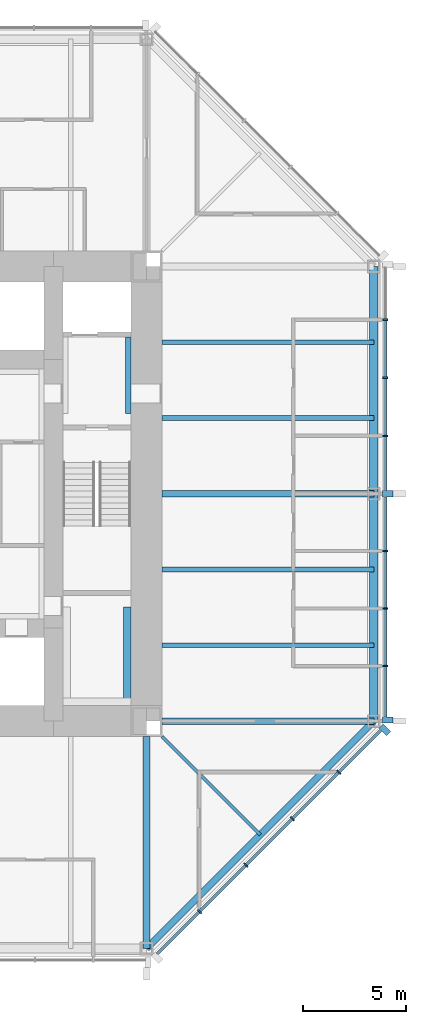
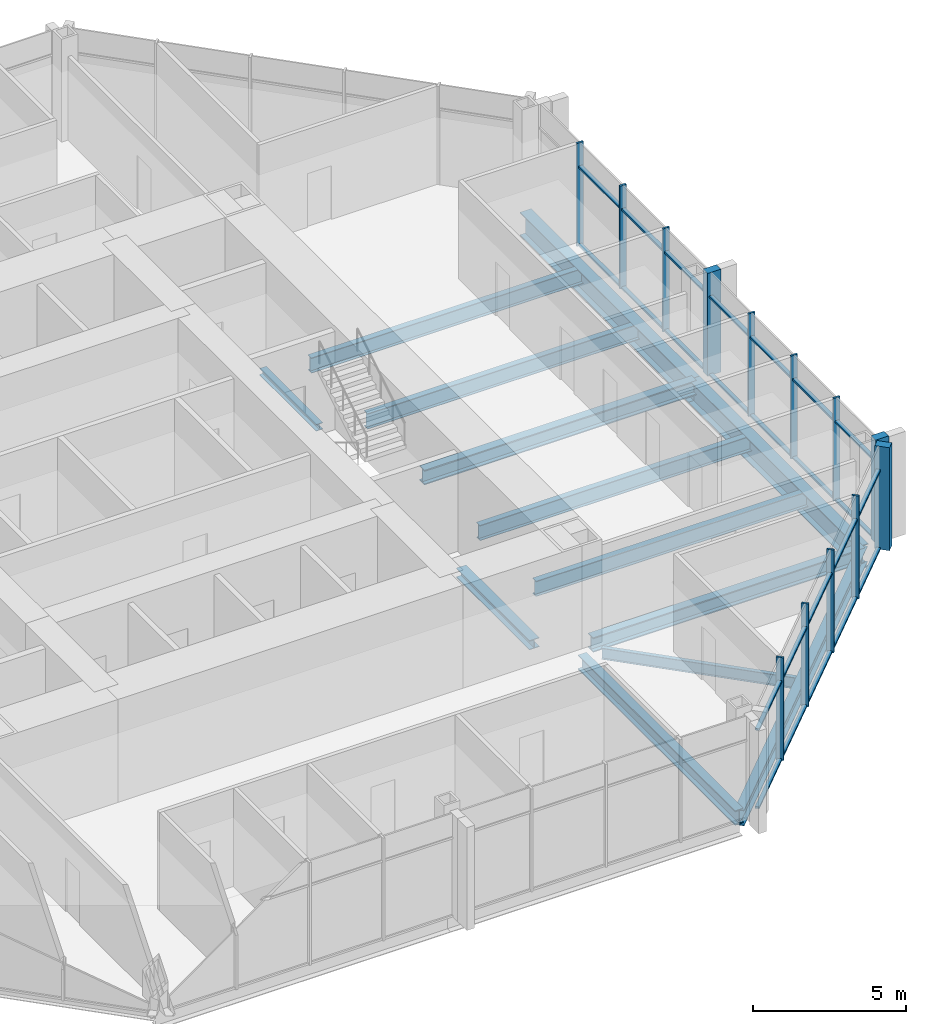
# One storey, part 4 of 12: 37 members, 13 beams, 2 elements without a shape of their own.
"""IFC4 building model written with IfcOpenShell, lengths in metres."""

import ifcopenshell
import ifcopenshell.guid

model = None  # the IFC model being written
_history = None  # IfcOwnerHistory: only IFC2X3 demands one
_inside = {}  # id of a spatial element -> (the spatial element, [elements in it])
_under = {}  # id of a project, library or spatial element -> (it, [spatial elements below it])
_declared = {}  # id of a project -> (the project, [libraries it declares])
_typed = {}  # id of a type object -> (the type object, [elements of that type])
_made_of = {}  # id of a material, layer set ... -> (it, [elements and type objects made of it])


def new_model(schema):
    """Start an empty IFC model of exactly this schema.

    Asked for "IFC4X3", IfcOpenShell would pick the latest addendum, in which some entities
    have other attributes; the version numbers below select the first issue.
    IFC2X3 requires an IfcOwnerHistory on every rooted entity: one is made here for all.
    """
    global model, _history
    if schema == "IFC4X3":
        model = ifcopenshell.file(schema_version=(4, 3, 0, 0))
    else:
        model = ifcopenshell.file(schema=schema)
    _inside.clear()
    _under.clear()
    _declared.clear()
    _typed.clear()
    _made_of.clear()
    _history = None
    if model.schema == "IFC2X3":
        org = make("IfcOrganization", Name="unknown")
        user = make(
            "IfcPersonAndOrganization",
            ThePerson=make("IfcPerson", FamilyName="unknown"),
            TheOrganization=org,
        )
        app = make(
            "IfcApplication",
            ApplicationDeveloper=org,
            Version="unknown",
            ApplicationFullName="unknown",
            ApplicationIdentifier="unknown",
        )
        _history = make(
            "IfcOwnerHistory",
            OwningUser=user,
            OwningApplication=app,
            ChangeAction="ADDED",
            CreationDate=0,
        )
    return model


def make(cls, **values):
    """One entity of the class cls with the attributes given. An attribute that is None is left unset."""
    return model.create_entity(
        cls, **{name: value for name, value in values.items() if value is not None}
    )


def rooted(cls, **values):
    """An entity with a GlobalId (a new one), such as an element, a storey or a relation."""
    return make(cls, GlobalId=ifcopenshell.guid.new(), OwnerHistory=_history, **values)


def si_unit(unit_type, name, prefix=None):
    """IfcSIUnit, for example si_unit("LENGTHUNIT", "METRE", prefix="MILLI")."""
    return make("IfcSIUnit", UnitType=unit_type, Prefix=prefix, Name=name)


def assignment(units):
    """IfcUnitAssignment: the units of a project."""
    return None if units is None else make("IfcUnitAssignment", Units=units)


def point(xyz):
    """IfcCartesianPoint."""
    return None if xyz is None else make("IfcCartesianPoint", Coordinates=xyz)


def direction(xyz):
    """IfcDirection."""
    return None if xyz is None else make("IfcDirection", DirectionRatios=xyz)


def frame(location, z_axis=None, x_axis=None):
    """IfcAxis2Placement3D, a coordinate frame: its origin and axes. An axis left out is left unset."""
    return make(
        "IfcAxis2Placement3D",
        Location=point(location),
        Axis=direction(z_axis),
        RefDirection=direction(x_axis),
    )


def frame_2d(location, x_axis=None):
    """IfcAxis2Placement2D, a coordinate frame in the plane: its origin and x axis."""
    return make(
        "IfcAxis2Placement2D", Location=point(location), RefDirection=direction(x_axis)
    )


def origin():
    """The frame at (0, 0, 0) with its axes left unset."""
    return frame((0.0, 0.0, 0.0))


def origin_2d():
    """The frame at (0, 0) in the plane with its x axis left unset."""
    return frame_2d((0.0, 0.0))


def place(relative_to, where):
    """IfcLocalPlacement: puts the frame where relative to a parent placement (None: the world)."""
    return make(
        "IfcLocalPlacement", PlacementRelTo=relative_to, RelativePlacement=where
    )


def context(
    kind, dimensions, precision=None, world=None, true_north=None, identifier=None
):
    """IfcGeometricRepresentationContext, for example the 3D "Model" context."""
    return make(
        "IfcGeometricRepresentationContext",
        ContextIdentifier=identifier,
        ContextType=kind,
        CoordinateSpaceDimension=dimensions,
        Precision=precision,
        WorldCoordinateSystem=world,
        TrueNorth=true_north,
    )


def subcontext(parent, identifier, kind, view, scale=None):
    """IfcGeometricRepresentationSubContext, for example "Body" below "Model"."""
    return make(
        "IfcGeometricRepresentationSubContext",
        ContextIdentifier=identifier,
        ContextType=kind,
        ParentContext=parent,
        TargetScale=scale,
        TargetView=view,
    )


def project(units=None, contexts=None):
    """IfcProject with its units and contexts."""
    return rooted(
        "IfcProject",
        Name="project",
        RepresentationContexts=contexts,
        UnitsInContext=assignment(units),
    )


def spatial(cls, under=None, at=None, **own):
    """A site, building, storey or space (cls), placed at a placement, below another one or the project."""
    s = rooted(cls, ObjectPlacement=at, **own)
    if under is not None:
        _under.setdefault(under.id(), (under, []))[1].append(s)
    return s


def profile(cls, at=None, kind="AREA", **sizes):
    """A parametric profile (cls). Its sizes go by their IFC names, for example OverallWidth=200.0."""
    return make(cls, ProfileType=kind, Position=at, **sizes)


def rectangle(**sizes):
    """IfcRectangleProfileDef."""
    return profile("IfcRectangleProfileDef", **sizes)


def i_section(**sizes):
    """IfcIShapeProfileDef."""
    return profile("IfcIShapeProfileDef", **sizes)


def extrude(swept, where, along, depth):
    """IfcExtrudedAreaSolid: the profile swept, set in the frame where, extruded along a direction by depth."""
    return make(
        "IfcExtrudedAreaSolid",
        SweptArea=swept,
        Position=where,
        ExtrudedDirection=direction(along),
        Depth=depth,
    )


def shape(context_of_items, identifier, shape_type, items):
    """IfcShapeRepresentation: the items that make up one representation, for example the "Body"."""
    return make(
        "IfcShapeRepresentation",
        ContextOfItems=context_of_items,
        RepresentationIdentifier=identifier,
        RepresentationType=shape_type,
        Items=items,
    )


def material(Name=None, Category=None):
    """IfcMaterial."""
    return make("IfcMaterial", Name=Name, Category=Category)


def material_profile(
    of_material, cross_section, Name=None, Category=None, Priority=None
):
    """IfcMaterialProfile: a cross section and its material."""
    return make(
        "IfcMaterialProfile",
        Name=Name,
        Material=of_material,
        Profile=cross_section,
        Priority=Priority,
        Category=Category,
    )


def profile_set(profiles, Name=None, composite=None):
    """IfcMaterialProfileSet."""
    return make(
        "IfcMaterialProfileSet",
        Name=Name,
        MaterialProfiles=profiles,
        CompositeProfile=composite,
    )


def made_of(thing, what):
    """Note that an element or type object is made of a material, layer set ...; save() writes the relation."""
    if what is not None:
        _made_of.setdefault(what.id(), (what, []))[1].append(thing)
    return thing


def type_object(cls, material=None, **own):
    """A type object (cls), such as IfcWallType, which elements share."""
    return made_of(rooted(cls, **own), material)


def element(
    cls,
    number,
    at=None,
    inside=None,
    cuts=None,
    type_object=None,
    material=None,
    context=None,
    identifier="Body",
    shape_type=None,
    held_by="IfcProductDefinitionShape",
    body=None,
    shapes=None,
    **own,
):
    """One element of the class cls, such as IfcWall. Its Tag is "e" and its number.

    at: its placement. inside: the storey or other place that contains it. cuts: it is an
    opening in that element (IfcRelVoidsElement). A single representation is given by context,
    identifier, shape_type and body (its items); several are given by shapes. held_by: the class
    of the entity that holds the representations. save() writes the other relations.
    """
    e = rooted(cls, Tag="e%d" % number, ObjectPlacement=at, **own)
    if body is not None:
        shapes = [shape(context, identifier, shape_type, body)]
    if shapes is not None:
        e.Representation = make(held_by, Representations=shapes)
    if inside is not None:
        _inside.setdefault(inside.id(), (inside, []))[1].append(e)
    if cuts is not None:
        rooted(
            "IfcRelVoidsElement", RelatingBuildingElement=cuts, RelatedOpeningElement=e
        )
    if type_object is not None:
        _typed.setdefault(type_object.id(), (type_object, []))[1].append(e)
    return made_of(e, material)


def aggregate(whole, parts):
    """IfcRelAggregates: a whole, such as a stair, and the parts it consists of."""
    return rooted("IfcRelAggregates", RelatingObject=whole, RelatedObjects=parts)


def save(model, path):
    """Write the relations noted so far, then the file.

    IfcRelAggregates (storeys below a building ...), IfcRelContainedInSpatialStructure (elements
    in a storey), IfcRelDefinesByType, IfcRelAssociatesMaterial and IfcRelDeclares: one each for
    every whole, place, type object, material and project.
    """
    for whole, parts in _under.values():
        aggregate(whole, parts)
    for where, things in _inside.values():
        rooted(
            "IfcRelContainedInSpatialStructure",
            RelatedElements=things,
            RelatingStructure=where,
        )
    for kind, things in _typed.values():
        rooted("IfcRelDefinesByType", RelatedObjects=things, RelatingType=kind)
    for what, things in _made_of.values():
        rooted("IfcRelAssociatesMaterial", RelatedObjects=things, RelatingMaterial=what)
    for by, libraries in _declared.values():
        rooted("IfcRelDeclares", RelatingContext=by, RelatedDefinitions=libraries)
    model.write(path)


model = new_model("IFC4")

# Units and contexts
model_context = context("Model", 3, precision=1e-05, world=origin(), true_north=direction((0.0, 1.0)))
body_context = subcontext(model_context, "Body", "Model", "MODEL_VIEW")
ifc_project = project(units=[si_unit("LENGTHUNIT", "METRE"), si_unit("AREAUNIT", "SQUARE_METRE"), si_unit("VOLUMEUNIT", "CUBIC_METRE"), si_unit("PLANEANGLEUNIT", "RADIAN"), si_unit("MASSUNIT", "GRAM", prefix="KILO")], contexts=[model_context])

# Site, building, storey
site_placement = place(None, origin())
site = spatial("IfcSite", under=ifc_project, at=site_placement, CompositionType="ELEMENT")
building_placement = place(site_placement, origin())
building = spatial("IfcBuilding", under=site, at=building_placement, Name="Trevanion Tower", CompositionType="ELEMENT")
storey_placement = place(building_placement, frame((0.0, 0.0, 166.39990234375)))
storey = spatial("IfcBuildingStorey", under=building, at=storey_placement, Name="L39", CompositionType="ELEMENT", Elevation=166.39990234375)

# Beams
ifc_material_1 = material(Name="Steel ASTM A992 Grade 50", Category="steel")
ifc_material_profile_1 = material_profile(ifc_material_1, i_section(OverallWidth=0.22900390625, OverallDepth=0.612060546875, WebThickness=0.011962890625, FlangeThickness=0.01953125, at=origin_2d()), Name="W24X84")
ifc_profile_set_1 = profile_set([ifc_material_profile_1], Name="Steel ASTM A992 Grade 50")
beam_type_1 = type_object("IfcBeamType", Name="B7 W24X84", PredefinedType="BEAM", material=ifc_profile_set_1)
for number, where, z_axis, x_axis, name in (
    (1, (11.75, -7.333251953125, -0.49609375), (1.0, 0.0, 0.0), (0.0, 1.0, 0.0), "B7 L39"),
    (2, (11.75, -3.666748046875, -0.49609375), (1.0, 0.0, 0.0), (0.0, 1.0, 0.0), "B7 L39"),
    (3, (11.75, 3.666748046875, -0.49609375), (1.0, 0.0, 0.0), (0.0, 1.0, 0.0), "B7 L39"),
    (4, (11.75, 7.333251953125, -0.49609375), (1.0, 0.0, 0.0), (0.0, 1.0, 0.0), "B7 L39"),
):
    element("IfcBeam", number, at=place(storey_placement, frame(where, z_axis=z_axis, x_axis=x_axis)), inside=storey, type_object=beam_type_1, Name=name, PredefinedType="BEAM", context=body_context, shape_type="SweptSolid", body=[
        extrude(i_section(OverallWidth=0.22900390625, OverallDepth=0.612060546875, WebThickness=0.011962890625, FlangeThickness=0.01953125, at=origin_2d()), origin(), (0.0, 0.0, 1.0), 10.25),
    ])
ifc_material_2 = material(Name="Steel ASTM A992 Grade 50", Category="steel")
ifc_material_profile_2 = material_profile(ifc_material_2, i_section(OverallWidth=0.15234375, OverallDepth=0.449462890625, WebThickness=0.007568359375, FlangeThickness=0.0107421875, at=origin_2d()), Name="W18X35")
ifc_profile_set_2 = profile_set([ifc_material_profile_2], Name="Steel ASTM A992 Grade 50")
beam_type_2 = type_object("IfcBeamType", Name="B8 W18X35", PredefinedType="BEAM", material=ifc_profile_set_2)
beam_1_placement = place(storey_placement, frame((11.75, -11.75, -0.414794921875), z_axis=(0.707106781187, -0.707106781187, 0.0), x_axis=(0.707106781187, 0.707106781187, 0.0)))
element("IfcBeam", 5, at=beam_1_placement, inside=storey, type_object=beam_type_2, Name="B8 L39", PredefinedType="BEAM", context=body_context, shape_type="SweptSolid", body=[
    extrude(i_section(OverallWidth=0.15234375, OverallDepth=0.449462890625, WebThickness=0.007568359375, FlangeThickness=0.0107421875, at=origin_2d()), origin(), (0.0, 0.0, 1.0), 6.717529296875),
])

# Curtain wall, members
ifc_material_3 = material(Name="Aluminium and glass", Category="aluminium")
curtain_wall_type = type_object("IfcCurtainWallType", Name="CW2 curtain wall", PredefinedType="USERDEFINED", material=ifc_material_3)
curtain_wall_1_placement = place(storey_placement, origin())
curtain_wall_1 = element("IfcCurtainWall", 6, at=curtain_wall_1_placement, inside=storey, type_object=curtain_wall_type, Name="CW2 L39 0", ObjectType="UNITISED CURTAIN WALL", PredefinedType="USERDEFINED")
ifc_material_4 = material(Name="Aluminium extrusion, anodised bronze", Category="aluminium")
ifc_material_profile_3 = material_profile(ifc_material_4, rectangle(XDim=0.074951171875, YDim=0.25, at=origin_2d()), Name="CW2 mullion")
ifc_profile_set_3 = profile_set([ifc_material_profile_3], Name="Aluminium extrusion, anodised bronze")
member_type_1 = type_object("IfcMemberType", Name="CW2 mullion", PredefinedType="MULLION", material=ifc_profile_set_3)
member_1_placement = place(storey_placement, frame((22.550048828125, -8.323486328125, -0.18994140625), z_axis=(0.0, 0.0, 1.0), x_axis=(0.0, 1.0, 0.0)))
member_1 = element("IfcMember", 7, at=member_1_placement, type_object=member_type_1, Name="CW2 mullion 2", PredefinedType="MULLION", context=body_context, shape_type="SweptSolid", body=[
    extrude(rectangle(XDim=0.074951171875, YDim=0.25, at=origin_2d()), origin(), (0.0, 0.0, 1.0), 4.10009765625),
])
member_2_placement = place(storey_placement, frame((22.550048828125, -5.548828125, -0.18994140625), z_axis=(0.0, 0.0, 1.0), x_axis=(0.0, 1.0, 0.0)))
member_2 = element("IfcMember", 8, at=member_2_placement, type_object=member_type_1, Name="CW2 mullion 3", PredefinedType="MULLION", context=body_context, shape_type="SweptSolid", body=[
    extrude(rectangle(XDim=0.074951171875, YDim=0.25, at=origin_2d()), origin(), (0.0, 0.0, 1.0), 4.10009765625),
])
member_3_placement = place(storey_placement, frame((22.550048828125, -2.7744140625, -0.18994140625), z_axis=(0.0, 0.0, 1.0), x_axis=(0.0, 1.0, 0.0)))
member_3 = element("IfcMember", 9, at=member_3_placement, type_object=member_type_1, Name="CW2 mullion 4", PredefinedType="MULLION", context=body_context, shape_type="SweptSolid", body=[
    extrude(rectangle(XDim=0.074951171875, YDim=0.25, at=origin_2d()), origin(), (0.0, 0.0, 1.0), 4.10009765625),
])
member_4_placement = place(storey_placement, frame((22.550048828125, 2.806884765625, -0.18994140625), z_axis=(0.0, 0.0, 1.0), x_axis=(0.0, 1.0, 0.0)))
member_4 = element("IfcMember", 10, at=member_4_placement, type_object=member_type_1, Name="CW2 mullion 6", PredefinedType="MULLION", context=body_context, shape_type="SweptSolid", body=[
    extrude(rectangle(XDim=0.074951171875, YDim=0.25, at=origin_2d()), origin(), (0.0, 0.0, 1.0), 4.10009765625),
])
member_5_placement = place(storey_placement, frame((22.550048828125, 5.614013671875, -0.18994140625), z_axis=(0.0, 0.0, 1.0), x_axis=(0.0, 1.0, 0.0)))
member_5 = element("IfcMember", 11, at=member_5_placement, type_object=member_type_1, Name="CW2 mullion 7", PredefinedType="MULLION", context=body_context, shape_type="SweptSolid", body=[
    extrude(rectangle(XDim=0.074951171875, YDim=0.25, at=origin_2d()), origin(), (0.0, 0.0, 1.0), 4.10009765625),
])
member_6_placement = place(storey_placement, frame((22.550048828125, 8.4208984375, -0.18994140625), z_axis=(0.0, 0.0, 1.0), x_axis=(0.0, 1.0, 0.0)))
member_6 = element("IfcMember", 12, at=member_6_placement, type_object=member_type_1, Name="CW2 mullion 8", PredefinedType="MULLION", context=body_context, shape_type="SweptSolid", body=[
    extrude(rectangle(XDim=0.074951171875, YDim=0.25, at=origin_2d()), origin(), (0.0, 0.0, 1.0), 4.10009765625),
])

curtain_wall_2_placement = place(storey_placement, origin())
curtain_wall_2 = element("IfcCurtainWall", 13, at=curtain_wall_2_placement, inside=storey, type_object=curtain_wall_type, Name="CW2 L39 7", ObjectType="UNITISED CURTAIN WALL", PredefinedType="USERDEFINED")
member_7_placement = place(storey_placement, frame((13.56591796875, -20.2119140625, -0.18994140625), z_axis=(0.0, 0.0, 1.0), x_axis=(0.707106781187, 0.707106781187, 0.0)))
member_7 = element("IfcMember", 14, at=member_7_placement, type_object=member_type_1, Name="CW2 mullion 2", PredefinedType="MULLION", context=body_context, shape_type="SweptSolid", body=[
    extrude(rectangle(XDim=0.074951171875, YDim=0.25, at=origin_2d()), origin(), (0.0, 0.0, 1.0), 4.10009765625),
])
member_8_placement = place(storey_placement, frame((15.811767578125, -17.966064453125, -0.18994140625), z_axis=(0.0, 0.0, 1.0), x_axis=(0.707106781187, 0.707106781187, 0.0)))
member_8 = element("IfcMember", 15, at=member_8_placement, type_object=member_type_1, Name="CW2 mullion 3", PredefinedType="MULLION", context=body_context, shape_type="SweptSolid", body=[
    extrude(rectangle(XDim=0.074951171875, YDim=0.25, at=origin_2d()), origin(), (0.0, 0.0, 1.0), 4.10009765625),
])
member_9_placement = place(storey_placement, frame((18.057861328125, -15.719970703125, -0.18994140625), z_axis=(0.0, 0.0, 1.0), x_axis=(0.707106781187, 0.707106781187, 0.0)))
member_9 = element("IfcMember", 16, at=member_9_placement, type_object=member_type_1, Name="CW2 mullion 4", PredefinedType="MULLION", context=body_context, shape_type="SweptSolid", body=[
    extrude(rectangle(XDim=0.074951171875, YDim=0.25, at=origin_2d()), origin(), (0.0, 0.0, 1.0), 4.10009765625),
])
member_10_placement = place(storey_placement, frame((20.303955078125, -13.473876953125, -0.18994140625), z_axis=(0.0, 0.0, 1.0), x_axis=(0.707106781187, 0.707106781187, 0.0)))
member_10 = element("IfcMember", 17, at=member_10_placement, type_object=member_type_1, Name="CW2 mullion 5", PredefinedType="MULLION", context=body_context, shape_type="SweptSolid", body=[
    extrude(rectangle(XDim=0.074951171875, YDim=0.25, at=origin_2d()), origin(), (0.0, 0.0, 1.0), 4.10009765625),
])

# Member
ifc_material_5 = material(Name="Aluminium extrusion, anodised bronze", Category="aluminium")
ifc_material_profile_4 = material_profile(ifc_material_5, rectangle(XDim=0.300048828125, YDim=0.5, at=origin_2d()), Name="CW2 pier mullion")
ifc_profile_set_4 = profile_set([ifc_material_profile_4], Name="Aluminium extrusion, anodised bronze")
member_type_2 = type_object("IfcMemberType", Name="CW2 pier mullion", PredefinedType="MULLION", material=ifc_profile_set_4)
member_11_placement = place(storey_placement, frame((22.675048828125, -10.94775390625, -0.18994140625), z_axis=(0.0, 0.0, 1.0), x_axis=(0.0, 1.0, 0.0)))
member_11 = element("IfcMember", 18, at=member_11_placement, type_object=member_type_2, Name="CW2 pier mullion 1", PredefinedType="MULLION", context=body_context, shape_type="SweptSolid", body=[
    extrude(rectangle(XDim=0.300048828125, YDim=0.5, at=origin_2d()), origin(), (0.0, 0.0, 1.0), 4.10009765625),
])

member_12_placement = place(storey_placement, frame((22.675048828125, 0.0, -0.18994140625), z_axis=(0.0, 0.0, 1.0), x_axis=(0.0, 1.0, 0.0)))
member_12 = element("IfcMember", 19, at=member_12_placement, type_object=member_type_2, Name="CW2 pier mullion 5", PredefinedType="MULLION", context=body_context, shape_type="SweptSolid", body=[
    extrude(rectangle(XDim=0.300048828125, YDim=0.5, at=origin_2d()), origin(), (0.0, 0.0, 1.0), 4.10009765625),
])

member_13_placement = place(storey_placement, frame((22.5322265625, -11.42236328125, -0.18994140625), z_axis=(0.0, 0.0, 1.0), x_axis=(0.707106781187, 0.707106781187, 0.0)))
member_13 = element("IfcMember", 20, at=member_13_placement, type_object=member_type_2, Name="CW2 pier mullion 6", PredefinedType="MULLION", context=body_context, shape_type="SweptSolid", body=[
    extrude(rectangle(XDim=0.300048828125, YDim=0.5, at=origin_2d()), origin(), (0.0, 0.0, 1.0), 4.10009765625),
])

ifc_material_6 = material(Name="Aluminium extrusion, anodised bronze", Category="aluminium")
ifc_material_profile_5 = material_profile(ifc_material_6, rectangle(XDim=0.14990234375, YDim=0.074951171875, at=origin_2d()), Name="CW2 transom")
ifc_profile_set_5 = profile_set([ifc_material_profile_5], Name="Aluminium extrusion, anodised bronze")
member_type_3 = type_object("IfcMemberType", Name="CW2 transom", PredefinedType="USERDEFINED", material=ifc_profile_set_5)
member_14_placement = place(storey_placement, frame((22.550048828125, -10.7978515625, -0.15234375), z_axis=(0.0, 1.0, 0.0), x_axis=(-1.0, 0.0, 0.0)))
member_14 = element("IfcMember", 21, at=member_14_placement, type_object=member_type_3, Name="CW2 transom 1.1", ObjectType="TRANSOM", PredefinedType="USERDEFINED", context=body_context, shape_type="SweptSolid", body=[
    extrude(rectangle(XDim=0.14990234375, YDim=0.074951171875, at=origin_2d()), origin(), (0.0, 0.0, 1.0), 2.43701171875),
])

member_15_placement = place(storey_placement, frame((22.550048828125, -10.7978515625, 2.960205078125), z_axis=(0.0, 1.0, 0.0), x_axis=(-1.0, 0.0, 0.0)))
member_15 = element("IfcMember", 22, at=member_15_placement, type_object=member_type_3, Name="CW2 transom 1.2", ObjectType="TRANSOM", PredefinedType="USERDEFINED", context=body_context, shape_type="SweptSolid", body=[
    extrude(rectangle(XDim=0.14990234375, YDim=0.074951171875, at=origin_2d()), origin(), (0.0, 0.0, 1.0), 2.43701171875),
])

member_16_placement = place(storey_placement, frame((22.550048828125, -8.285888671875, -0.15234375), z_axis=(0.0, 1.0, 0.0), x_axis=(-1.0, 0.0, 0.0)))
member_16 = element("IfcMember", 23, at=member_16_placement, type_object=member_type_3, Name="CW2 transom 2.1", ObjectType="TRANSOM", PredefinedType="USERDEFINED", context=body_context, shape_type="SweptSolid", body=[
    extrude(rectangle(XDim=0.14990234375, YDim=0.074951171875, at=origin_2d()), origin(), (0.0, 0.0, 1.0), 2.699462890625),
])

member_17_placement = place(storey_placement, frame((22.550048828125, -8.285888671875, 2.960205078125), z_axis=(0.0, 1.0, 0.0), x_axis=(-1.0, 0.0, 0.0)))
member_17 = element("IfcMember", 24, at=member_17_placement, type_object=member_type_3, Name="CW2 transom 2.2", ObjectType="TRANSOM", PredefinedType="USERDEFINED", context=body_context, shape_type="SweptSolid", body=[
    extrude(rectangle(XDim=0.14990234375, YDim=0.074951171875, at=origin_2d()), origin(), (0.0, 0.0, 1.0), 2.699462890625),
])

member_18_placement = place(storey_placement, frame((22.550048828125, -5.511474609375, -0.15234375), z_axis=(0.0, 1.0, 0.0), x_axis=(-1.0, 0.0, 0.0)))
member_18 = element("IfcMember", 25, at=member_18_placement, type_object=member_type_3, Name="CW2 transom 3.1", ObjectType="TRANSOM", PredefinedType="USERDEFINED", context=body_context, shape_type="SweptSolid", body=[
    extrude(rectangle(XDim=0.14990234375, YDim=0.074951171875, at=origin_2d()), origin(), (0.0, 0.0, 1.0), 2.699462890625),
])

member_19_placement = place(storey_placement, frame((22.550048828125, -5.511474609375, 2.960205078125), z_axis=(0.0, 1.0, 0.0), x_axis=(-1.0, 0.0, 0.0)))
member_19 = element("IfcMember", 26, at=member_19_placement, type_object=member_type_3, Name="CW2 transom 3.2", ObjectType="TRANSOM", PredefinedType="USERDEFINED", context=body_context, shape_type="SweptSolid", body=[
    extrude(rectangle(XDim=0.14990234375, YDim=0.074951171875, at=origin_2d()), origin(), (0.0, 0.0, 1.0), 2.699462890625),
])

member_20_placement = place(storey_placement, frame((22.550048828125, -2.737060546875, -0.15234375), z_axis=(0.0, 1.0, 0.0), x_axis=(-1.0, 0.0, 0.0)))
member_20 = element("IfcMember", 27, at=member_20_placement, type_object=member_type_3, Name="CW2 transom 4.1", ObjectType="TRANSOM", PredefinedType="USERDEFINED", context=body_context, shape_type="SweptSolid", body=[
    extrude(rectangle(XDim=0.14990234375, YDim=0.074951171875, at=origin_2d()), origin(), (0.0, 0.0, 1.0), 2.587158203125),
])

member_21_placement = place(storey_placement, frame((22.550048828125, -2.737060546875, 2.960205078125), z_axis=(0.0, 1.0, 0.0), x_axis=(-1.0, 0.0, 0.0)))
member_21 = element("IfcMember", 28, at=member_21_placement, type_object=member_type_3, Name="CW2 transom 4.2", ObjectType="TRANSOM", PredefinedType="USERDEFINED", context=body_context, shape_type="SweptSolid", body=[
    extrude(rectangle(XDim=0.14990234375, YDim=0.074951171875, at=origin_2d()), origin(), (0.0, 0.0, 1.0), 2.587158203125),
])

member_22_placement = place(storey_placement, frame((22.550048828125, 0.14990234375, -0.15234375), z_axis=(0.0, 1.0, 0.0), x_axis=(-1.0, 0.0, 0.0)))
member_22 = element("IfcMember", 29, at=member_22_placement, type_object=member_type_3, Name="CW2 transom 5.1", ObjectType="TRANSOM", PredefinedType="USERDEFINED", context=body_context, shape_type="SweptSolid", body=[
    extrude(rectangle(XDim=0.14990234375, YDim=0.074951171875, at=origin_2d()), origin(), (0.0, 0.0, 1.0), 2.619384765625),
])

member_23_placement = place(storey_placement, frame((22.550048828125, 0.14990234375, 2.960205078125), z_axis=(0.0, 1.0, 0.0), x_axis=(-1.0, 0.0, 0.0)))
member_23 = element("IfcMember", 30, at=member_23_placement, type_object=member_type_3, Name="CW2 transom 5.2", ObjectType="TRANSOM", PredefinedType="USERDEFINED", context=body_context, shape_type="SweptSolid", body=[
    extrude(rectangle(XDim=0.14990234375, YDim=0.074951171875, at=origin_2d()), origin(), (0.0, 0.0, 1.0), 2.619384765625),
])

member_24_placement = place(storey_placement, frame((22.550048828125, 2.844482421875, -0.15234375), z_axis=(0.0, 1.0, 0.0), x_axis=(-1.0, 0.0, 0.0)))
member_24 = element("IfcMember", 31, at=member_24_placement, type_object=member_type_3, Name="CW2 transom 6.1", ObjectType="TRANSOM", PredefinedType="USERDEFINED", context=body_context, shape_type="SweptSolid", body=[
    extrude(rectangle(XDim=0.14990234375, YDim=0.074951171875, at=origin_2d()), origin(), (0.0, 0.0, 1.0), 2.73193359375),
])

member_25_placement = place(storey_placement, frame((22.550048828125, 2.844482421875, 2.960205078125), z_axis=(0.0, 1.0, 0.0), x_axis=(-1.0, 0.0, 0.0)))
member_25 = element("IfcMember", 32, at=member_25_placement, type_object=member_type_3, Name="CW2 transom 6.2", ObjectType="TRANSOM", PredefinedType="USERDEFINED", context=body_context, shape_type="SweptSolid", body=[
    extrude(rectangle(XDim=0.14990234375, YDim=0.074951171875, at=origin_2d()), origin(), (0.0, 0.0, 1.0), 2.73193359375),
])

member_26_placement = place(storey_placement, frame((22.550048828125, 5.6513671875, -0.15234375), z_axis=(0.0, 1.0, 0.0), x_axis=(-1.0, 0.0, 0.0)))
member_26 = element("IfcMember", 33, at=member_26_placement, type_object=member_type_3, Name="CW2 transom 7.1", ObjectType="TRANSOM", PredefinedType="USERDEFINED", context=body_context, shape_type="SweptSolid", body=[
    extrude(rectangle(XDim=0.14990234375, YDim=0.074951171875, at=origin_2d()), origin(), (0.0, 0.0, 1.0), 2.73193359375),
])

member_27_placement = place(storey_placement, frame((22.550048828125, 5.6513671875, 2.960205078125), z_axis=(0.0, 1.0, 0.0), x_axis=(-1.0, 0.0, 0.0)))
member_27 = element("IfcMember", 34, at=member_27_placement, type_object=member_type_3, Name="CW2 transom 7.2", ObjectType="TRANSOM", PredefinedType="USERDEFINED", context=body_context, shape_type="SweptSolid", body=[
    extrude(rectangle(XDim=0.14990234375, YDim=0.074951171875, at=origin_2d()), origin(), (0.0, 0.0, 1.0), 2.73193359375),
])

aggregate(curtain_wall_1, [member_11, member_1, member_2, member_3, member_12, member_4, member_5, member_6, member_14, member_15, member_16, member_17, member_18, member_19, member_20, member_21, member_22, member_23, member_24, member_25, member_26, member_27])

member_28_placement = place(storey_placement, frame((11.531982421875, -22.245849609375, -0.15234375), z_axis=(0.707106781187, 0.707106781187, 0.0), x_axis=(-0.707106781187, 0.707106781187, 0.0)))
member_28 = element("IfcMember", 35, at=member_28_placement, type_object=member_type_3, Name="CW2 transom 1.1", ObjectType="TRANSOM", PredefinedType="USERDEFINED", context=body_context, shape_type="SweptSolid", body=[
    extrude(rectangle(XDim=0.14990234375, YDim=0.074951171875, at=origin_2d()), origin(), (0.0, 0.0, 1.0), 2.8388671875),
])

member_29_placement = place(storey_placement, frame((11.531982421875, -22.245849609375, 2.960205078125), z_axis=(0.707106781187, 0.707106781187, 0.0), x_axis=(-0.707106781187, 0.707106781187, 0.0)))
member_29 = element("IfcMember", 36, at=member_29_placement, type_object=member_type_3, Name="CW2 transom 1.2", ObjectType="TRANSOM", PredefinedType="USERDEFINED", context=body_context, shape_type="SweptSolid", body=[
    extrude(rectangle(XDim=0.14990234375, YDim=0.074951171875, at=origin_2d()), origin(), (0.0, 0.0, 1.0), 2.8388671875),
])

member_30_placement = place(storey_placement, frame((13.59228515625, -20.185546875, -0.15234375), z_axis=(0.707106781187, 0.707106781187, 0.0), x_axis=(-0.707106781187, 0.707106781187, 0.0)))
member_30 = element("IfcMember", 37, at=member_30_placement, type_object=member_type_3, Name="CW2 transom 2.1", ObjectType="TRANSOM", PredefinedType="USERDEFINED", context=body_context, shape_type="SweptSolid", body=[
    extrude(rectangle(XDim=0.14990234375, YDim=0.074951171875, at=origin_2d()), origin(), (0.0, 0.0, 1.0), 3.1015625),
])

member_31_placement = place(storey_placement, frame((13.59228515625, -20.185546875, 2.960205078125), z_axis=(0.707106781187, 0.707106781187, 0.0), x_axis=(-0.707106781187, 0.707106781187, 0.0)))
member_31 = element("IfcMember", 38, at=member_31_placement, type_object=member_type_3, Name="CW2 transom 2.2", ObjectType="TRANSOM", PredefinedType="USERDEFINED", context=body_context, shape_type="SweptSolid", body=[
    extrude(rectangle(XDim=0.14990234375, YDim=0.074951171875, at=origin_2d()), origin(), (0.0, 0.0, 1.0), 3.1015625),
])

member_32_placement = place(storey_placement, frame((15.83837890625, -17.939453125, -0.15234375), z_axis=(0.707106781187, 0.707106781187, 0.0), x_axis=(-0.707106781187, 0.707106781187, 0.0)))
member_32 = element("IfcMember", 39, at=member_32_placement, type_object=member_type_3, Name="CW2 transom 3.1", ObjectType="TRANSOM", PredefinedType="USERDEFINED", context=body_context, shape_type="SweptSolid", body=[
    extrude(rectangle(XDim=0.14990234375, YDim=0.074951171875, at=origin_2d()), origin(), (0.0, 0.0, 1.0), 3.1015625),
])

member_33_placement = place(storey_placement, frame((15.83837890625, -17.939453125, 2.960205078125), z_axis=(0.707106781187, 0.707106781187, 0.0), x_axis=(-0.707106781187, 0.707106781187, 0.0)))
member_33 = element("IfcMember", 40, at=member_33_placement, type_object=member_type_3, Name="CW2 transom 3.2", ObjectType="TRANSOM", PredefinedType="USERDEFINED", context=body_context, shape_type="SweptSolid", body=[
    extrude(rectangle(XDim=0.14990234375, YDim=0.074951171875, at=origin_2d()), origin(), (0.0, 0.0, 1.0), 3.1015625),
])

member_34_placement = place(storey_placement, frame((18.08447265625, -15.693359375, -0.15234375), z_axis=(0.707106781187, 0.707106781187, 0.0), x_axis=(-0.707106781187, 0.707106781187, 0.0)))
member_34 = element("IfcMember", 41, at=member_34_placement, type_object=member_type_3, Name="CW2 transom 4.1", ObjectType="TRANSOM", PredefinedType="USERDEFINED", context=body_context, shape_type="SweptSolid", body=[
    extrude(rectangle(XDim=0.14990234375, YDim=0.074951171875, at=origin_2d()), origin(), (0.0, 0.0, 1.0), 3.10107421875),
])

member_35_placement = place(storey_placement, frame((18.08447265625, -15.693359375, 2.960205078125), z_axis=(0.707106781187, 0.707106781187, 0.0), x_axis=(-0.707106781187, 0.707106781187, 0.0)))
member_35 = element("IfcMember", 42, at=member_35_placement, type_object=member_type_3, Name="CW2 transom 4.2", ObjectType="TRANSOM", PredefinedType="USERDEFINED", context=body_context, shape_type="SweptSolid", body=[
    extrude(rectangle(XDim=0.14990234375, YDim=0.074951171875, at=origin_2d()), origin(), (0.0, 0.0, 1.0), 3.10107421875),
])

member_36_placement = place(storey_placement, frame((20.33056640625, -13.447509765625, -0.15234375), z_axis=(0.707063781595, 0.707149778163, 0.0), x_axis=(-0.707149778163, 0.707063781595, 0.0)))
member_36 = element("IfcMember", 43, at=member_36_placement, type_object=member_type_3, Name="CW2 transom 5.1", ObjectType="TRANSOM", PredefinedType="USERDEFINED", context=body_context, shape_type="SweptSolid", body=[
    extrude(rectangle(XDim=0.14990234375, YDim=0.074951171875, at=origin_2d()), origin(), (0.0, 0.0, 1.0), 2.8388671875),
])

member_37_placement = place(storey_placement, frame((20.33056640625, -13.447509765625, 2.960205078125), z_axis=(0.707063781595, 0.707149778163, 0.0), x_axis=(-0.707149778163, 0.707063781595, 0.0)))
member_37 = element("IfcMember", 44, at=member_37_placement, type_object=member_type_3, Name="CW2 transom 5.2", ObjectType="TRANSOM", PredefinedType="USERDEFINED", context=body_context, shape_type="SweptSolid", body=[
    extrude(rectangle(XDim=0.14990234375, YDim=0.074951171875, at=origin_2d()), origin(), (0.0, 0.0, 1.0), 2.8388671875),
])

aggregate(curtain_wall_2, [member_7, member_8, member_9, member_10, member_13, member_28, member_29, member_30, member_31, member_32, member_33, member_34, member_35, member_36, member_37])

# Beams
ifc_material_7 = material(Name="Steel ASTM A992 Grade 50", Category="steel")
ifc_material_profile_6 = material_profile(ifc_material_7, i_section(OverallWidth=0.320068359375, OverallDepth=0.584228515625, WebThickness=0.023193359375, FlangeThickness=0.04150390625, at=origin_2d()), Name="W21X201")
ifc_profile_set_6 = profile_set([ifc_material_profile_6], Name="Steel ASTM A992 Grade 50")
beam_type_3 = type_object("IfcBeamType", Name="G4 W21X201", PredefinedType="BEAM", material=ifc_profile_set_6)
for number, where, z_axis, x_axis, name in (
    (45, (11.75, -11.0, -0.48193359375), (1.0, 0.0, 0.0), (0.0, 1.0, 0.0), "G4 L39"),
    (46, (11.75, 0.0, -0.48193359375), (1.0, 0.0, 0.0), (0.0, 1.0, 0.0), "G4 L39"),
    (47, (11.0, -11.75, -0.48193359375), (0.0, -1.0, 0.0), (1.0, 0.0, 0.0), "G4 L39"),
):
    element("IfcBeam", number, at=place(storey_placement, frame(where, z_axis=z_axis, x_axis=x_axis)), inside=storey, type_object=beam_type_3, Name=name, PredefinedType="BEAM", context=body_context, shape_type="SweptSolid", body=[
        extrude(i_section(OverallWidth=0.320068359375, OverallDepth=0.584228515625, WebThickness=0.023193359375, FlangeThickness=0.04150390625, at=origin_2d()), origin(), (0.0, 0.0, 1.0), 10.25),
    ])
ifc_material_8 = material(Name="Steel ASTM A992 Grade 50", Category="steel")
ifc_material_profile_7 = material_profile(ifc_material_8, i_section(OverallWidth=0.256591796875, OverallDepth=0.26416015625, WebThickness=0.011962890625, FlangeThickness=0.01953125, at=origin_2d()), Name="W10X68")
ifc_profile_set_7 = profile_set([ifc_material_profile_7], Name="Steel ASTM A992 Grade 50")
beam_type_4 = type_object("IfcBeamType", Name="LB1 W10X68", PredefinedType="BEAM", material=ifc_profile_set_7)
beam_2_placement = place(storey_placement, frame((10.12158203125, 3.875, -0.33203125), z_axis=(0.0, 1.0, 0.0), x_axis=(-1.0, 0.0, 0.0)))
element("IfcBeam", 48, at=beam_2_placement, inside=storey, type_object=beam_type_4, Name="LB1 L39", PredefinedType="BEAM", context=body_context, shape_type="SweptSolid", body=[
    extrude(i_section(OverallWidth=0.256591796875, OverallDepth=0.26416015625, WebThickness=0.011962890625, FlangeThickness=0.01953125, at=origin_2d()), origin(), (0.0, 0.0, 1.0), 3.699951171875),
])
ifc_material_9 = material(Name="Steel ASTM A992 Grade 50", Category="steel")
ifc_material_profile_8 = material_profile(ifc_material_9, i_section(OverallWidth=0.373291015625, OverallDepth=0.373291015625, WebThickness=0.016357421875, FlangeThickness=0.026123046875, at=origin_2d()), Name="W14X132")
ifc_profile_set_8 = profile_set([ifc_material_profile_8], Name="Steel ASTM A992 Grade 50")
beam_type_5 = type_object("IfcBeamType", Name="LB2 W14X132", PredefinedType="BEAM", material=ifc_profile_set_8)
beam_3_placement = place(storey_placement, frame((10.063232421875, -10.25, -0.38671875), z_axis=(0.0, 1.0, 0.0), x_axis=(-1.0, 0.0, 0.0)))
element("IfcBeam", 49, at=beam_3_placement, inside=storey, type_object=beam_type_5, Name="LB2 L39", PredefinedType="BEAM", context=body_context, shape_type="SweptSolid", body=[
    extrude(i_section(OverallWidth=0.373291015625, OverallDepth=0.373291015625, WebThickness=0.016357421875, FlangeThickness=0.026123046875, at=origin_2d()), origin(), (0.0, 0.0, 1.0), 4.77490234375),
])
ifc_material_10 = material(Name="Steel ASTM A992 Grade 50", Category="steel")
ifc_material_profile_9 = material_profile(ifc_material_10, i_section(OverallWidth=0.419189453125, OverallDepth=0.927001953125, WebThickness=0.019287109375, FlangeThickness=0.031982421875, at=origin_2d()), Name="W36X231")
ifc_profile_set_9 = profile_set([ifc_material_profile_9], Name="Steel ASTM A992 Grade 50")
beam_type_6 = type_object("IfcBeamType", Name="SB4 W36X231", PredefinedType="SPANDREL", material=ifc_profile_set_9)
for number, where, z_axis, x_axis, name in (
    (50, (22.0, -11.0, -0.6533203125), (0.0, 1.0, 0.0), (-1.0, 0.0, 0.0), "SB4 L39"),
    (51, (22.0, 0.0, -0.6533203125), (0.0, 1.0, 0.0), (-1.0, 0.0, 0.0), "SB4 L39"),
):
    element("IfcBeam", number, at=place(storey_placement, frame(where, z_axis=z_axis, x_axis=x_axis)), inside=storey, type_object=beam_type_6, Name=name, PredefinedType="SPANDREL", context=body_context, shape_type="SweptSolid", body=[
        extrude(i_section(OverallWidth=0.419189453125, OverallDepth=0.927001953125, WebThickness=0.019287109375, FlangeThickness=0.031982421875, at=origin_2d()), origin(), (0.0, 0.0, 1.0), 11.0),
    ])
ifc_material_11 = material(Name="Steel ASTM A992 Grade 50", Category="steel")
ifc_material_profile_10 = material_profile(ifc_material_11, i_section(OverallWidth=0.32763671875, OverallDepth=0.62744140625, WebThickness=0.0166015625, FlangeThickness=0.027587890625, at=origin_2d()), Name="W24X146")
ifc_profile_set_10 = profile_set([ifc_material_profile_10], Name="Steel ASTM A992 Grade 50")
beam_type_7 = type_object("IfcBeamType", Name="SB5 W24X146", PredefinedType="SPANDREL", material=ifc_profile_set_10)
beam_4_placement = place(storey_placement, frame((11.0, -22.0, -0.503662109375), z_axis=(0.707106781187, 0.707106781187, 0.0), x_axis=(-0.707106781187, 0.707106781187, 0.0)))
element("IfcBeam", 52, at=beam_4_placement, inside=storey, type_object=beam_type_7, Name="SB5 L39", PredefinedType="SPANDREL", context=body_context, shape_type="SweptSolid", body=[
    extrude(i_section(OverallWidth=0.32763671875, OverallDepth=0.62744140625, WebThickness=0.0166015625, FlangeThickness=0.027587890625, at=origin_2d()), origin(), (0.0, 0.0, 1.0), 15.556396484375),
])

save(model, "model.ifc")
